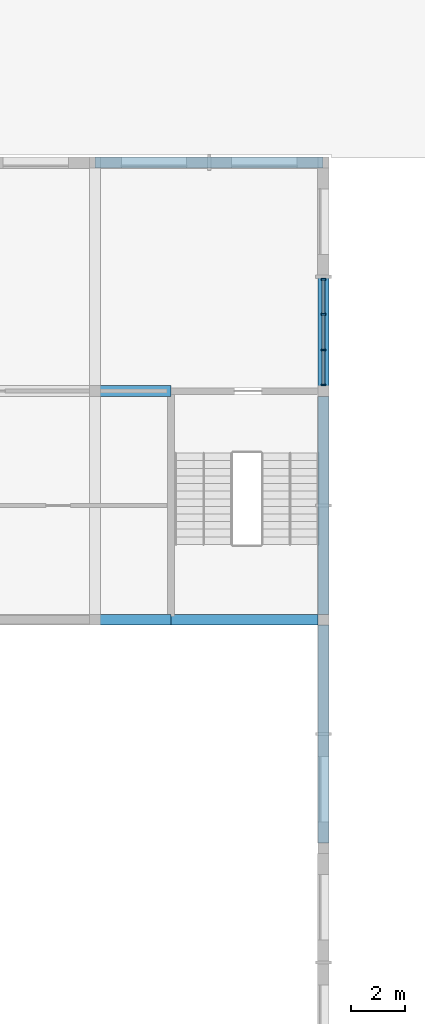
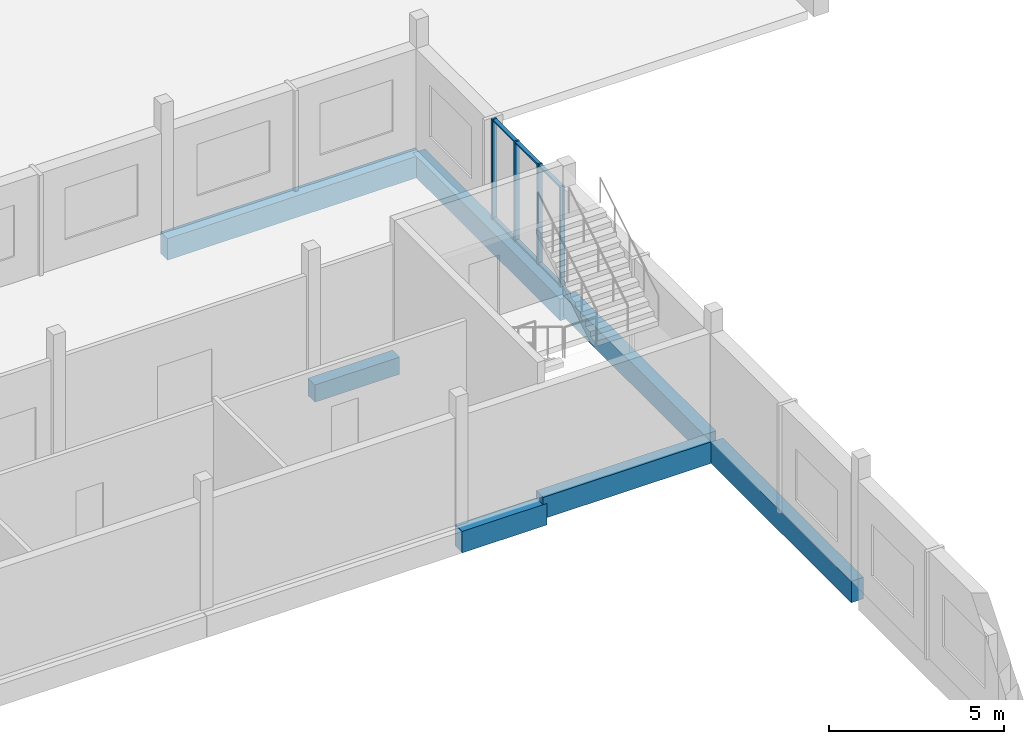
# One storey, part 23 of 60: 10 members, 7 beams, 1 element without a shape of its own.
"""IFC4 building model written with IfcOpenShell, lengths in metres."""

from ifc_helpers import new_model, si_unit, direction, frame, origin, origin_2d, place, context, subcontext, project, spatial, rectangle, extrude, material, material_profile, profile_set, type_object, element, aggregate, save


model = new_model("IFC4")

# Units and contexts
model_context = context("Model", 3, precision=1e-05, world=origin(), true_north=direction((0.0, 1.0)))
body_context = subcontext(model_context, "Body", "Model", "MODEL_VIEW")
ifc_project = project(units=[si_unit("LENGTHUNIT", "METRE"), si_unit("AREAUNIT", "SQUARE_METRE"), si_unit("VOLUMEUNIT", "CUBIC_METRE"), si_unit("PLANEANGLEUNIT", "RADIAN"), si_unit("MASSUNIT", "GRAM", prefix="KILO")], contexts=[model_context])

# Site, building, storey
site_placement = place(None, origin())
site = spatial("IfcSite", under=ifc_project, at=site_placement, CompositionType="ELEMENT")
building_placement = place(site_placement, origin())
building = spatial("IfcBuilding", under=site, at=building_placement, Name="Fescue Hill Polytechnic", CompositionType="ELEMENT")
storey_placement = place(building_placement, frame((0.0, 0.0, 4.5)))
storey = spatial("IfcBuildingStorey", under=building, at=storey_placement, Name="L01", CompositionType="ELEMENT", Elevation=4.5)

# Beams
ifc_material_1 = material(Name="Concrete 35 MPa", Category="concrete")
ifc_material_profile_1 = material_profile(ifc_material_1, rectangle(XDim=0.39990234375, YDim=0.60009765625, at=origin_2d()), Name="RC 400x600")
ifc_profile_set_1 = profile_set([ifc_material_profile_1], Name="Concrete 35 MPa")
beam_type_1 = type_object("IfcBeamType", Name="Beam RC 400x600", PredefinedType="BEAM", material=ifc_profile_set_1)
beam_1_placement = place(storey_placement, frame((151.2099609375, 42.0, -0.550048828125), z_axis=(1.0, 0.0, 0.0), x_axis=(0.0, 1.0, 0.0)))
element("IfcBeam", 1, at=beam_1_placement, inside=storey, type_object=beam_type_1, Name="BM-L01-0119", PredefinedType="BEAM", context=body_context, shape_type="SweptSolid", body=[
    extrude(rectangle(XDim=0.39990234375, YDim=0.60009765625, at=origin_2d()), origin(), (0.0, 0.0, 1.0), 2.7900390625),
])
ifc_material_profile_2 = material_profile(ifc_material_1, rectangle(XDim=0.39990234375, YDim=0.75, at=origin_2d()), Name="RC 400x750")
ifc_profile_set_2 = profile_set([ifc_material_profile_2], Name="Concrete 35 MPa")
beam_type_2 = type_object("IfcBeamType", Name="Beam RC 400x750", PredefinedType="BEAM", material=ifc_profile_set_2)
beam_2_placement = place(storey_placement, frame((151.2099609375, 33.60009765625, -0.625), z_axis=(1.0, 0.0, 0.0), x_axis=(0.0, 1.0, 0.0)))
element("IfcBeam", 2, at=beam_2_placement, inside=storey, type_object=beam_type_2, Name="BM-L01-0118", PredefinedType="BEAM", context=body_context, shape_type="SweptSolid", body=[
    extrude(rectangle(XDim=0.39990234375, YDim=0.75, at=origin_2d()), origin(), (0.0, 0.0, 1.0), 2.7900390625),
])
beam_3_placement = place(storey_placement, frame((151.2099609375, 50.39990234375, -0.625), z_axis=(1.0, 0.0, 0.0), x_axis=(0.0, 1.0, 0.0)))
element("IfcBeam", 3, at=beam_3_placement, inside=storey, type_object=beam_type_2, Name="BM-L01-0120", PredefinedType="BEAM", context=body_context, shape_type="SweptSolid", body=[
    extrude(rectangle(XDim=0.39990234375, YDim=0.75, at=origin_2d()), origin(), (0.0, 0.0, 1.0), 8.380126953125),
])
beam_4_placement = place(storey_placement, frame((159.60009765625, 42.0, -0.625), z_axis=(0.0, 1.0, 0.0), x_axis=(-1.0, 0.0, 0.0)))
element("IfcBeam", 4, at=beam_4_placement, inside=storey, type_object=beam_type_2, Name="BM-L01-0121", PredefinedType="BEAM", context=body_context, shape_type="SweptSolid", body=[
    extrude(rectangle(XDim=0.39990234375, YDim=0.75, at=origin_2d()), origin(), (0.0, 0.0, 1.0), 8.39990234375),
])
beam_5_placement = place(storey_placement, frame((153.875, 33.60009765625, -0.375), z_axis=(1.0, 0.0, 0.0), x_axis=(0.0, 1.0, 0.0)))
element("IfcBeam", 5, at=beam_5_placement, inside=storey, type_object=beam_type_2, Name="BM-L01-0155", PredefinedType="BEAM", context=body_context, shape_type="SweptSolid", body=[
    extrude(rectangle(XDim=0.39990234375, YDim=0.75, at=origin_2d()), origin(), (0.0, 0.0, 1.0), 5.52490234375),
])
for number, where, z_axis, x_axis, name in (
    (6, (159.60009765625, 25.39990234375, -0.375), (0.0, 1.0, 0.0), (-1.0, 0.0, 0.0), "BM-L01-0158"),
    (7, (159.60009765625, 33.800048828125, -0.375), (0.0, 1.0, 0.0), (-1.0, 0.0, 0.0), "BM-L01-0159"),
):
    element("IfcBeam", number, at=place(storey_placement, frame(where, z_axis=z_axis, x_axis=x_axis)), inside=storey, type_object=beam_type_2, Name=name, PredefinedType="BEAM", context=body_context, shape_type="SweptSolid", body=[
        extrude(rectangle(XDim=0.39990234375, YDim=0.75, at=origin_2d()), origin(), (0.0, 0.0, 1.0), 8.0),
    ])

# Curtain wall, members
ifc_material_2 = material(Name="Glass", Category="glass")
curtain_wall_type = type_object("IfcCurtainWallType", Name="Curtain wall structural glazing", PredefinedType="NOTDEFINED", material=ifc_material_2)
curtain_wall_placement = place(storey_placement, origin())
curtain_wall = element("IfcCurtainWall", 8, at=curtain_wall_placement, inside=storey, type_object=curtain_wall_type, Name="CW-L01-V3-X2", PredefinedType="NOTDEFINED")
ifc_material_3 = material(Name="Powder-coated aluminium", Category="aluminium")
ifc_material_profile_3 = material_profile(ifc_material_3, rectangle(XDim=0.159912109375, YDim=0.06005859375, at=origin_2d()), Name="Mullion aluminium 60x160")
ifc_profile_set_3 = profile_set([ifc_material_profile_3], Name="Powder-coated aluminium")
member_type_1 = type_object("IfcMemberType", Name="Mullion aluminium 60x160", PredefinedType="MULLION", material=ifc_profile_set_3)
member_1_placement = place(storey_placement, frame((159.60009765625, 42.22998046875, 0.0), z_axis=(0.0, 0.0, 1.0), x_axis=(-1.0, 0.0, 0.0)))
member_1 = element("IfcMember", 9, at=member_1_placement, type_object=member_type_1, Name="CW118 mullion 1", PredefinedType="MULLION", context=body_context, shape_type="SweptSolid", body=[
    extrude(rectangle(XDim=0.159912109375, YDim=0.06005859375, at=origin_2d()), origin(), (0.0, 0.0, 1.0), 3.47998046875),
])
member_2_placement = place(storey_placement, frame((159.60009765625, 43.513427734375, 0.0), z_axis=(0.0, 0.0, 1.0), x_axis=(-1.0, 0.0, 0.0)))
member_2 = element("IfcMember", 10, at=member_2_placement, type_object=member_type_1, Name="CW118 mullion 2", PredefinedType="MULLION", context=body_context, shape_type="SweptSolid", body=[
    extrude(rectangle(XDim=0.159912109375, YDim=0.06005859375, at=origin_2d()), origin(), (0.0, 0.0, 1.0), 3.47998046875),
])
member_3_placement = place(storey_placement, frame((159.60009765625, 44.82666015625, 0.0), z_axis=(0.0, 0.0, 1.0), x_axis=(-1.0, 0.0, 0.0)))
member_3 = element("IfcMember", 11, at=member_3_placement, type_object=member_type_1, Name="CW118 mullion 3", PredefinedType="MULLION", context=body_context, shape_type="SweptSolid", body=[
    extrude(rectangle(XDim=0.159912109375, YDim=0.06005859375, at=origin_2d()), origin(), (0.0, 0.0, 1.0), 3.47998046875),
])
member_4_placement = place(storey_placement, frame((159.60009765625, 46.110107421875, 0.0), z_axis=(0.0, 0.0, 1.0), x_axis=(-1.0, 0.0, 0.0)))
member_4 = element("IfcMember", 12, at=member_4_placement, type_object=member_type_1, Name="CW118 mullion 4", PredefinedType="MULLION", context=body_context, shape_type="SweptSolid", body=[
    extrude(rectangle(XDim=0.159912109375, YDim=0.06005859375, at=origin_2d()), origin(), (0.0, 0.0, 1.0), 3.47998046875),
])
ifc_material_profile_4 = material_profile(ifc_material_3, rectangle(XDim=0.1201171875, YDim=0.06005859375, at=origin_2d()), Name="Transom aluminium 60x120")
ifc_profile_set_4 = profile_set([ifc_material_profile_4], Name="Powder-coated aluminium")
member_type_2 = type_object("IfcMemberType", Name="Transom aluminium 60x120", PredefinedType="USERDEFINED", material=ifc_profile_set_4)
member_5_placement = place(storey_placement, frame((159.60009765625, 42.260009765625, 0.030029296875), z_axis=(0.0, 1.0, 0.0), x_axis=(-1.0, 0.0, 0.0)))
member_5 = element("IfcMember", 13, at=member_5_placement, type_object=member_type_2, Name="CW118 transom 1.1", ObjectType="TRANSOM", PredefinedType="USERDEFINED", context=body_context, shape_type="SweptSolid", body=[
    extrude(rectangle(XDim=0.1201171875, YDim=0.06005859375, at=origin_2d()), origin(), (0.0, 0.0, 1.0), 1.223388671875),
])
member_6_placement = place(storey_placement, frame((159.60009765625, 42.260009765625, 3.449951171875), z_axis=(0.0, 1.0, 0.0), x_axis=(-1.0, 0.0, 0.0)))
member_6 = element("IfcMember", 14, at=member_6_placement, type_object=member_type_2, Name="CW118 transom 1.2", ObjectType="TRANSOM", PredefinedType="USERDEFINED", context=body_context, shape_type="SweptSolid", body=[
    extrude(rectangle(XDim=0.1201171875, YDim=0.06005859375, at=origin_2d()), origin(), (0.0, 0.0, 1.0), 1.223388671875),
])
member_7_placement = place(storey_placement, frame((159.60009765625, 43.543212890625, 0.030029296875), z_axis=(0.0, 1.0, 0.0), x_axis=(-1.0, 0.0, 0.0)))
member_7 = element("IfcMember", 15, at=member_7_placement, type_object=member_type_2, Name="CW118 transom 2.1", ObjectType="TRANSOM", PredefinedType="USERDEFINED", context=body_context, shape_type="SweptSolid", body=[
    extrude(rectangle(XDim=0.1201171875, YDim=0.06005859375, at=origin_2d()), origin(), (0.0, 0.0, 1.0), 1.25341796875),
])
member_8_placement = place(storey_placement, frame((159.60009765625, 43.543212890625, 3.449951171875), z_axis=(0.0, 1.0, 0.0), x_axis=(-1.0, 0.0, 0.0)))
member_8 = element("IfcMember", 16, at=member_8_placement, type_object=member_type_2, Name="CW118 transom 2.2", ObjectType="TRANSOM", PredefinedType="USERDEFINED", context=body_context, shape_type="SweptSolid", body=[
    extrude(rectangle(XDim=0.1201171875, YDim=0.06005859375, at=origin_2d()), origin(), (0.0, 0.0, 1.0), 1.25341796875),
])
member_9_placement = place(storey_placement, frame((159.60009765625, 44.856689453125, 0.030029296875), z_axis=(0.0, 1.0, 0.0), x_axis=(-1.0, 0.0, 0.0)))
member_9 = element("IfcMember", 17, at=member_9_placement, type_object=member_type_2, Name="CW118 transom 3.1", ObjectType="TRANSOM", PredefinedType="USERDEFINED", context=body_context, shape_type="SweptSolid", body=[
    extrude(rectangle(XDim=0.1201171875, YDim=0.06005859375, at=origin_2d()), origin(), (0.0, 0.0, 1.0), 1.223388671875),
])
member_10_placement = place(storey_placement, frame((159.60009765625, 44.856689453125, 3.449951171875), z_axis=(0.0, 1.0, 0.0), x_axis=(-1.0, 0.0, 0.0)))
member_10 = element("IfcMember", 18, at=member_10_placement, type_object=member_type_2, Name="CW118 transom 3.2", ObjectType="TRANSOM", PredefinedType="USERDEFINED", context=body_context, shape_type="SweptSolid", body=[
    extrude(rectangle(XDim=0.1201171875, YDim=0.06005859375, at=origin_2d()), origin(), (0.0, 0.0, 1.0), 1.223388671875),
])
aggregate(curtain_wall, [member_1, member_2, member_3, member_4, member_5, member_6, member_7, member_8, member_9, member_10])

save(model, "model.ifc")
